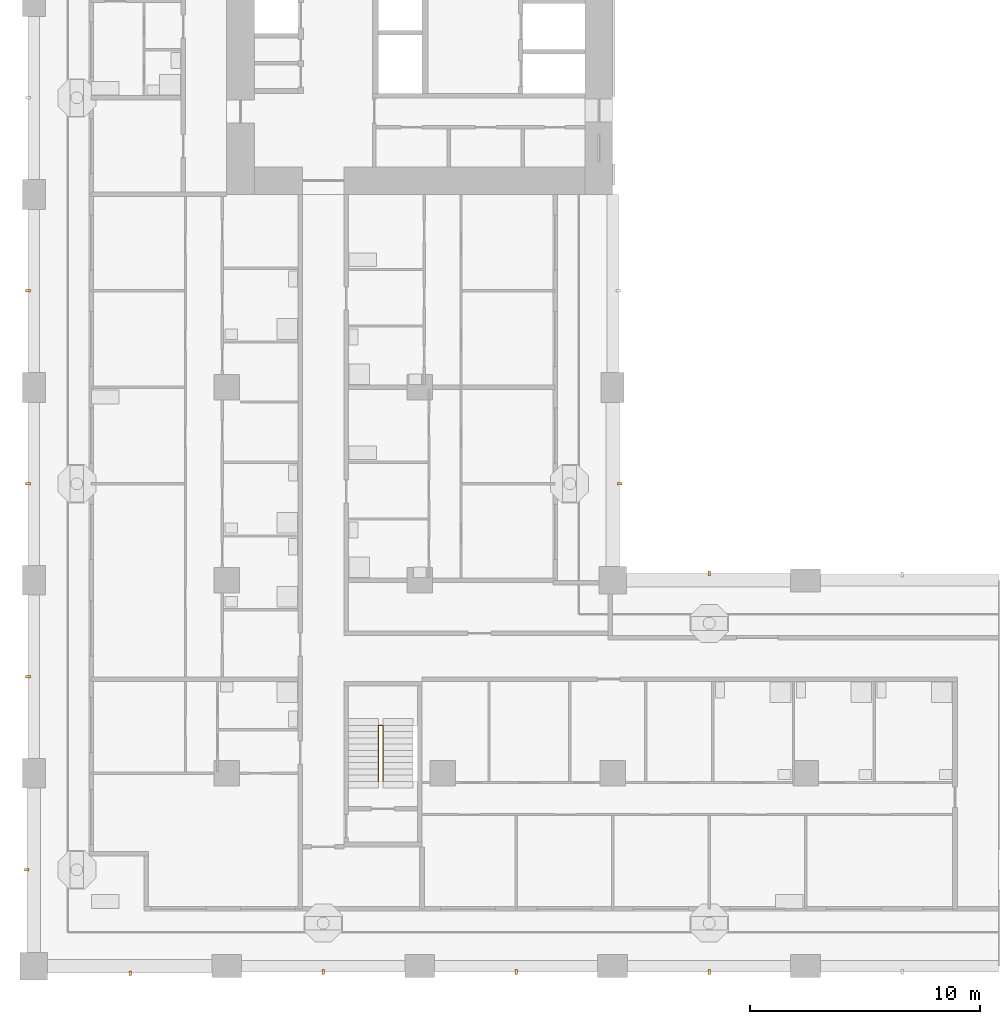
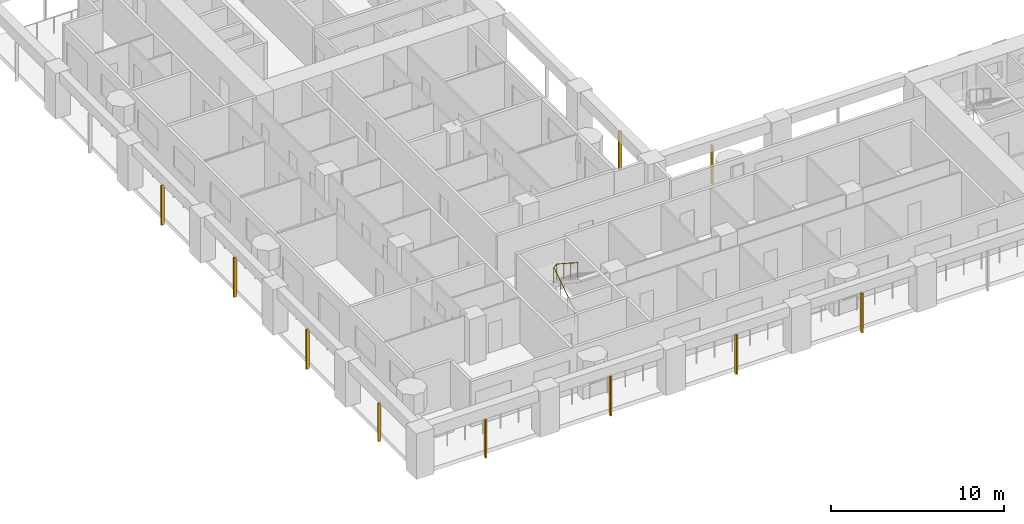
# One storey, part 10 of 19: 10 shading devices, 1 railing.
"""IFC4 building model written with IfcOpenShell, lengths in metres."""

from ifc_helpers import new_model, si_unit, direction, frame, origin, origin_2d, place, context, subcontext, project, spatial, rectangle, circle, extrude, material, material_profile, profile_set, type_object, element, save


model = new_model("IFC4")

# Units and contexts
model_context = context("Model", 3, precision=1e-05, world=origin(), true_north=direction((0.0, 1.0)))
body_context = subcontext(model_context, "Body", "Model", "MODEL_VIEW")
ifc_project = project(units=[si_unit("LENGTHUNIT", "METRE"), si_unit("AREAUNIT", "SQUARE_METRE"), si_unit("VOLUMEUNIT", "CUBIC_METRE"), si_unit("PLANEANGLEUNIT", "RADIAN"), si_unit("MASSUNIT", "GRAM", prefix="KILO")], contexts=[model_context])

# Site, building, storey
site_placement = place(None, origin())
site = spatial("IfcSite", under=ifc_project, at=site_placement, CompositionType="ELEMENT")
building_placement = place(site_placement, origin())
building = spatial("IfcBuilding", under=site, at=building_placement, Name="Vermilion Gate Residences", CompositionType="ELEMENT")
storey_placement = place(building_placement, frame((0.0, 0.0, 119.699951171875)))
storey = spatial("IfcBuildingStorey", under=building, at=storey_placement, Name="L30", CompositionType="ELEMENT", Elevation=119.699951171875)

# Railing
ifc_material_1 = material(Name="Steel S355", Category="steel")
railing_type = type_object("IfcRailingType", Name="STAIR GUARD 1100 STEEL", PredefinedType="GUARDRAIL", material=ifc_material_1)
railing_placement = place(storey_placement, frame((15.0, 16.449951171875, 0.175048828125)))
element("IfcRailing", 1, at=railing_placement, inside=storey, type_object=railing_type, Name="Stair well guard STC1-30", PredefinedType="GUARDRAIL", context=body_context, shape_type="SweptSolid", body=[
    extrude(circle(Radius=0.02392578125, at=origin_2d()), frame((0.0, 0.0, 1.076171875), z_axis=(0.0, 0.839153699163, 0.543894354798), x_axis=(-1.0, 0.0, 0.0)), (0.0, 0.0, 1.0), 2.895751953125),
    extrude(circle(Radius=0.02392578125, at=origin_2d()), frame((0.0, 2.429931640625, 2.65087890625), z_axis=(0.752405939678, 0.0, 0.658699705433), x_axis=(0.0, 1.0, 0.0)), (0.0, 0.0, 1.0), 0.265869140625),
    extrude(circle(Radius=0.02392578125, at=origin_2d()), frame((0.199951171875, 2.429931640625, 2.826171875), z_axis=(0.0, -0.839153699163, 0.543894354798), x_axis=(1.0, 0.0, 0.0)), (0.0, 0.0, 1.0), 2.895751953125),
    extrude(circle(Radius=0.02099609375, at=origin_2d()), origin(), (0.0, 0.0, 1.0), 1.052001953125),
    extrude(circle(Radius=0.02099609375, at=origin_2d()), frame((0.0, 0.81005859375, 0.52490234375)), (0.0, 0.0, 1.0), 1.052001953125),
    extrude(circle(Radius=0.02099609375, at=origin_2d()), frame((0.0, 1.619873046875, 1.050048828125)), (0.0, 0.0, 1.0), 1.052001953125),
    extrude(circle(Radius=0.02099609375, at=origin_2d()), frame((0.0, 2.429931640625, 1.574951171875)), (0.0, 0.0, 1.0), 1.052001953125),
    extrude(circle(Radius=0.02099609375, at=origin_2d()), frame((0.199951171875, 2.429931640625, 1.75)), (0.0, 0.0, 1.0), 1.052001953125),
    extrude(circle(Radius=0.02099609375, at=origin_2d()), frame((0.199951171875, 1.619873046875, 2.27490234375)), (0.0, 0.0, 1.0), 1.052001953125),
    extrude(circle(Radius=0.02099609375, at=origin_2d()), frame((0.199951171875, 0.81005859375, 2.800048828125)), (0.0, 0.0, 1.0), 1.052001953125),
    extrude(circle(Radius=0.02099609375, at=origin_2d()), frame((0.199951171875, 0.0, 3.324951171875)), (0.0, 0.0, 1.0), 1.052001953125),
])

# Shading devices
ifc_material_2 = material(Name="Extruded terracotta", Category="masonry")
ifc_material_profile = material_profile(ifc_material_2, rectangle(XDim=0.199951171875, YDim=0.10009765625, at=origin_2d()), Name="BAGUETTE 100 X 200")
ifc_profile_set = profile_set([ifc_material_profile], Name="Extruded terracotta")
shading_device_type = type_object("IfcShadingDeviceType", Name="TERRACOTTA BAGUETTE 100 X 200", PredefinedType="JALOUSIE", material=ifc_profile_set)
shading_device_placement = place(storey_placement, frame((4.199951171875, 8.10009765625, -0.280029296875), z_axis=(0.0, 0.0, 1.0), x_axis=(0.0, 1.0, 0.0)))
element("IfcShadingDevice", 2, at=shading_device_placement, inside=storey, type_object=shading_device_type, Name="BAGUETTE", PredefinedType="JALOUSIE", context=body_context, shape_type="SweptSolid", body=[
    extrude(rectangle(XDim=0.199951171875, YDim=0.10009765625, at=origin_2d()), origin(), (0.0, 0.0, 1.0), 2.7001953125),
])
for number, where, z_axis, x_axis, name in (
    (3, (12.60009765625, 8.14990234375, -0.280029296875), (0.0, 0.0, 1.0), (0.0, 1.0, 0.0), "BAGUETTE"),
    (4, (21.0, 8.14990234375, -0.280029296875), (0.0, 0.0, 1.0), (0.0, 1.0, 0.0), "BAGUETTE"),
    (5, (29.39990234375, 8.14990234375, -0.280029296875), (0.0, 0.0, 1.0), (0.0, 1.0, 0.0), "BAGUETTE"),
):
    element("IfcShadingDevice", number, at=place(storey_placement, frame(where, z_axis=z_axis, x_axis=x_axis)), inside=storey, type_object=shading_device_type, Name=name, PredefinedType="JALOUSIE", context=body_context, shape_type="SweptSolid", body=[
        extrude(rectangle(XDim=0.199951171875, YDim=0.10009765625, at=origin_2d()), origin(), (0.0, 0.0, 1.0), 2.800048828125),
    ])
for number, where, z_axis, x_axis, name in (
    (6, (29.39990234375, 25.5, -0.280029296875), (0.0, 0.0, 1.0), (0.0, -1.0, 0.0), "BAGUETTE"),
    (7, (25.5, 29.39990234375, -0.280029296875), (0.0, 0.0, 1.0), (-1.0, 0.0, 0.0), "BAGUETTE"),
    (8, (-0.300048828125, 12.60009765625, -0.280029296875), (0.0, 0.0, 1.0), (1.0, 0.0, 0.0), "BAGUETTE"),
):
    element("IfcShadingDevice", number, at=place(storey_placement, frame(where, z_axis=z_axis, x_axis=x_axis)), inside=storey, type_object=shading_device_type, Name=name, PredefinedType="JALOUSIE", context=body_context, shape_type="SweptSolid", body=[
        extrude(rectangle(XDim=0.199951171875, YDim=0.10009765625, at=origin_2d()), origin(), (0.0, 0.0, 1.0), 2.7001953125),
    ])
for number, where, z_axis, x_axis, name in (
    (9, (-0.25, 21.0, -0.280029296875), (0.0, 0.0, 1.0), (1.0, 0.0, 0.0), "BAGUETTE"),
    (10, (-0.25, 29.39990234375, -0.280029296875), (0.0, 0.0, 1.0), (1.0, 0.0, 0.0), "BAGUETTE"),
    (11, (-0.25, 37.800048828125, -0.280029296875), (0.0, 0.0, 1.0), (1.0, 0.0, 0.0), "BAGUETTE"),
):
    element("IfcShadingDevice", number, at=place(storey_placement, frame(where, z_axis=z_axis, x_axis=x_axis)), inside=storey, type_object=shading_device_type, Name=name, PredefinedType="JALOUSIE", context=body_context, shape_type="SweptSolid", body=[
        extrude(rectangle(XDim=0.199951171875, YDim=0.10009765625, at=origin_2d()), origin(), (0.0, 0.0, 1.0), 2.800048828125),
    ])

save(model, "model.ifc")
